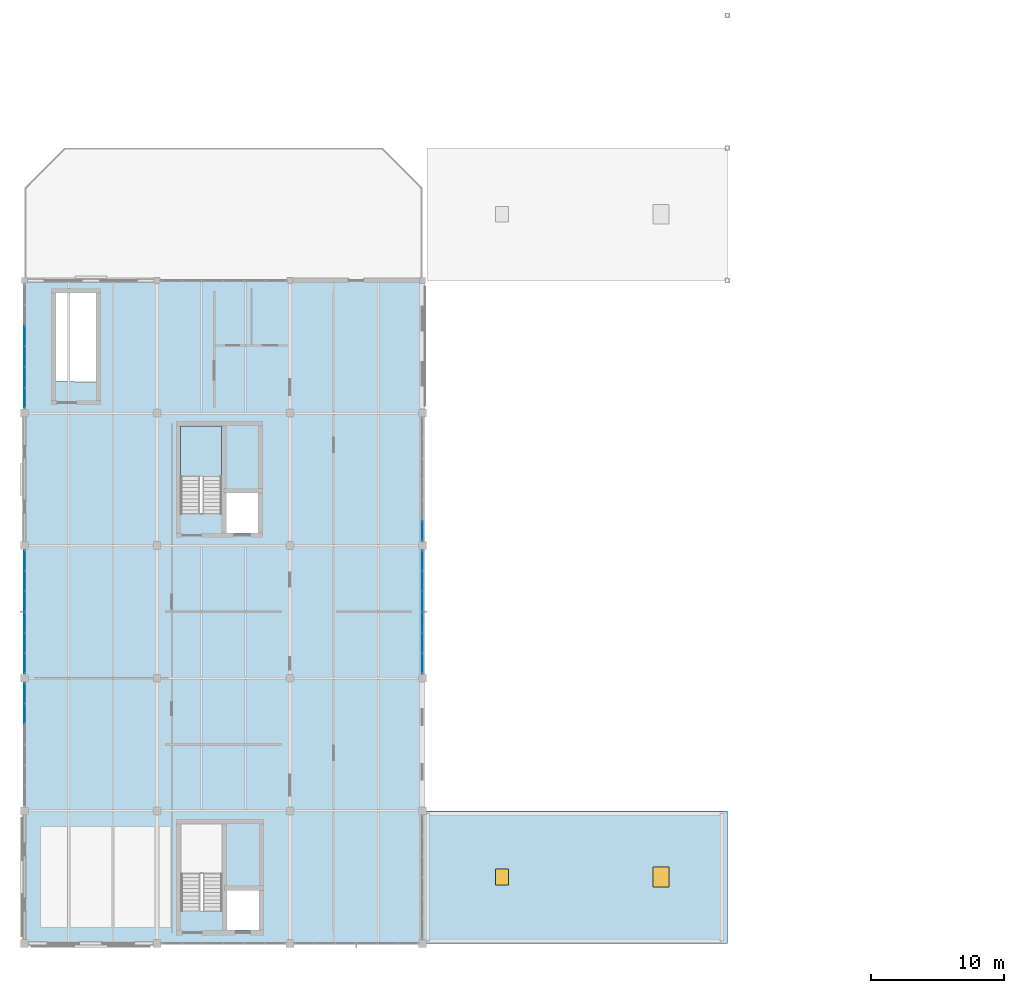
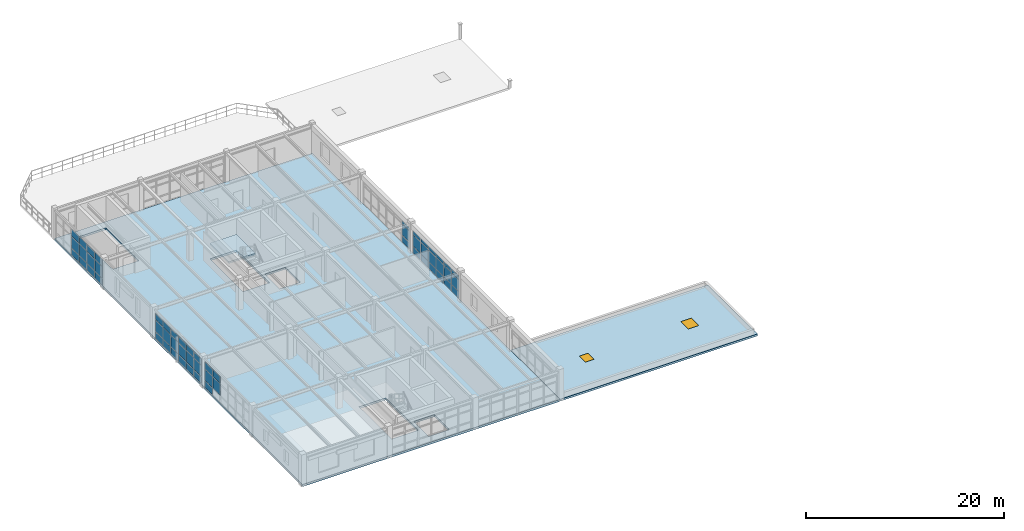
# One storey, part 15 of 23: 56 plates, 3 slabs, 2 doors, 2 openings, 6 elements without a shape of their own.
"""IFC4 building model written with IfcOpenShell, lengths in metres."""

from ifc_helpers import new_model, si_unit, direction, frame, origin, origin_2d, place, context, subcontext, project, spatial, polyline, rectangle, outline, extrude, material, layer, layer_set, type_object, element, fill, aggregate, save


model = new_model("IFC4")

# Units and contexts
model_context = context("Model", 3, precision=1e-05, world=origin(), true_north=direction((0.0, 1.0)))
body_context = subcontext(model_context, "Body", "Model", "MODEL_VIEW")
ifc_project = project(units=[si_unit("LENGTHUNIT", "METRE"), si_unit("AREAUNIT", "SQUARE_METRE"), si_unit("VOLUMEUNIT", "CUBIC_METRE"), si_unit("PLANEANGLEUNIT", "RADIAN"), si_unit("MASSUNIT", "GRAM", prefix="KILO"), si_unit("THERMODYNAMICTEMPERATUREUNIT", "KELVIN"), si_unit("POWERUNIT", "WATT")], contexts=[model_context])

# Site, building, storey
site_placement = place(None, origin())
site = spatial("IfcSite", under=ifc_project, at=site_placement, CompositionType="ELEMENT")
building_placement = place(site_placement, origin())
building = spatial("IfcBuilding", under=site, at=building_placement, Name="Korenveer Ferry Terminal", CompositionType="ELEMENT")
storey_placement = place(building_placement, frame((0.0, 0.0, 14.39990234375)))
storey = spatial("IfcBuildingStorey", under=building, at=storey_placement, Name="L03", CompositionType="ELEMENT", Elevation=14.39990234375)

# Curtain wall, plates
ifc_material_1 = material(Name="Unitised bronze-and-glass curtain wall", Category="glass")
ifc_layer_1 = layer(ifc_material_1, 0.159912109375)
ifc_layer_set_1 = layer_set([ifc_layer_1], Name="Unitised bronze-and-glass curtain wall")
curtain_wall_type_1 = type_object("IfcCurtainWallType", Name="ENV-CW-108", PredefinedType="USERDEFINED", material=ifc_layer_set_1)
curtain_wall_1_placement = place(storey_placement, frame((0.0, 30.330078125, 0.0)))
curtain_wall_1 = element("IfcCurtainWall", 1, at=curtain_wall_1_placement, inside=storey, type_object=curtain_wall_type_1, Name="Lancet curtain wall CWX-L03-X0-0-Y30-40", ObjectType="UNITISED CURTAIN WALL", PredefinedType="USERDEFINED")
ifc_material_2 = material(Name="Low-iron solar-control double glazing", Category="glass")
ifc_layer_2 = layer(ifc_material_2, 0.028076171875)
ifc_layer_set_2 = layer_set([ifc_layer_2], Name="Low-iron solar-control double glazing")
plate_type = type_object("IfcPlateType", Name="ENV-CWP-GLZ28", PredefinedType="CURTAIN_PANEL", material=ifc_layer_set_2)
plate_1_placement = place(storey_placement, frame((0.0, 37.3349609375, 0.93017578125), z_axis=(0.0, 0.0, 1.0), x_axis=(0.0, 1.0, 0.0)))
plate_1 = element("IfcPlate", 2, at=plate_1_placement, type_object=plate_type, Name="CW-108 panel 5.2", PredefinedType="CURTAIN_PANEL", context=body_context, shape_type="SweptSolid", body=[
    extrude(rectangle(XDim=1.49658203125, YDim=0.028076171875, at=origin_2d()), origin(), (0.0, 0.0, 1.0), 1.389892578125),
])
plate_2_placement = place(storey_placement, frame((0.0, 37.3349609375, 2.380126953125), z_axis=(0.0, 0.0, 1.0), x_axis=(0.0, 1.0, 0.0)))
plate_2 = element("IfcPlate", 3, at=plate_2_placement, type_object=plate_type, Name="CW-108 panel 5.3", PredefinedType="CURTAIN_PANEL", context=body_context, shape_type="SweptSolid", body=[
    extrude(rectangle(XDim=1.49658203125, YDim=0.028076171875, at=origin_2d()), origin(), (0.0, 0.0, 1.0), 0.830078125),
])
plate_3_placement = place(storey_placement, frame((0.0, 38.876708984375, 0.06005859375), z_axis=(0.0, 0.0, 1.0), x_axis=(0.0, 1.0, 0.0)))
plate_3 = element("IfcPlate", 4, at=plate_3_placement, type_object=plate_type, Name="CW-108 panel 6.1", PredefinedType="CURTAIN_PANEL", context=body_context, shape_type="SweptSolid", body=[
    extrude(rectangle(XDim=1.466552734375, YDim=0.028076171875, at=origin_2d()), origin(), (0.0, 0.0, 1.0), 0.81005859375),
])
plate_4_placement = place(storey_placement, frame((0.0, 38.876708984375, 0.93017578125), z_axis=(0.0, 0.0, 1.0), x_axis=(0.0, 1.0, 0.0)))
plate_4 = element("IfcPlate", 5, at=plate_4_placement, type_object=plate_type, Name="CW-108 panel 6.2", PredefinedType="CURTAIN_PANEL", context=body_context, shape_type="SweptSolid", body=[
    extrude(rectangle(XDim=1.466552734375, YDim=0.028076171875, at=origin_2d()), origin(), (0.0, 0.0, 1.0), 1.389892578125),
])
plate_5_placement = place(storey_placement, frame((0.0, 38.876708984375, 2.380126953125), z_axis=(0.0, 0.0, 1.0), x_axis=(0.0, 1.0, 0.0)))
plate_5 = element("IfcPlate", 6, at=plate_5_placement, type_object=plate_type, Name="CW-108 panel 6.3", PredefinedType="CURTAIN_PANEL", context=body_context, shape_type="SweptSolid", body=[
    extrude(rectangle(XDim=1.466552734375, YDim=0.028076171875, at=origin_2d()), origin(), (0.0, 0.0, 1.0), 0.830078125),
])
aggregate(curtain_wall_1, [plate_1, plate_2, plate_3, plate_4, plate_5])

ifc_layer_3 = layer(ifc_material_1, 0.159912109375)
ifc_layer_set_3 = layer_set([ifc_layer_3], Name="Unitised bronze-and-glass curtain wall")
curtain_wall_type_2 = type_object("IfcCurtainWallType", Name="ENV-CW-109", PredefinedType="USERDEFINED", material=ifc_layer_set_3)
curtain_wall_2_placement = place(storey_placement, frame((0.0, 40.330078125, 0.0)))
curtain_wall_2 = element("IfcCurtainWall", 7, at=curtain_wall_2_placement, inside=storey, type_object=curtain_wall_type_2, Name="Lancet curtain wall CWX-L03-X0-0-Y40-50", ObjectType="UNITISED CURTAIN WALL", PredefinedType="USERDEFINED")
plate_6_placement = place(storey_placement, frame((0.0, 41.123291015625, 0.06005859375), z_axis=(0.0, 0.0, 1.0), x_axis=(0.0, 1.0, 0.0)))
plate_6 = element("IfcPlate", 8, at=plate_6_placement, type_object=plate_type, Name="CW-109 panel 1.1", PredefinedType="CURTAIN_PANEL", context=body_context, shape_type="SweptSolid", body=[
    extrude(rectangle(XDim=1.466552734375, YDim=0.028076171875, at=origin_2d()), origin(), (0.0, 0.0, 1.0), 0.81005859375),
])
plate_7_placement = place(storey_placement, frame((0.0, 41.123291015625, 0.93017578125), z_axis=(0.0, 0.0, 1.0), x_axis=(0.0, 1.0, 0.0)))
plate_7 = element("IfcPlate", 9, at=plate_7_placement, type_object=plate_type, Name="CW-109 panel 1.2", PredefinedType="CURTAIN_PANEL", context=body_context, shape_type="SweptSolid", body=[
    extrude(rectangle(XDim=1.466552734375, YDim=0.028076171875, at=origin_2d()), origin(), (0.0, 0.0, 1.0), 1.389892578125),
])
plate_8_placement = place(storey_placement, frame((0.0, 41.123291015625, 2.380126953125), z_axis=(0.0, 0.0, 1.0), x_axis=(0.0, 1.0, 0.0)))
plate_8 = element("IfcPlate", 10, at=plate_8_placement, type_object=plate_type, Name="CW-109 panel 1.3", PredefinedType="CURTAIN_PANEL", context=body_context, shape_type="SweptSolid", body=[
    extrude(rectangle(XDim=1.466552734375, YDim=0.028076171875, at=origin_2d()), origin(), (0.0, 0.0, 1.0), 0.72998046875),
])
plate_9_placement = place(storey_placement, frame((0.0, 42.6650390625, 0.06005859375), z_axis=(0.0, 0.0, 1.0), x_axis=(0.0, 1.0, 0.0)))
plate_9 = element("IfcPlate", 11, at=plate_9_placement, type_object=plate_type, Name="CW-109 panel 2.1", PredefinedType="CURTAIN_PANEL", context=body_context, shape_type="SweptSolid", body=[
    extrude(rectangle(XDim=1.49658203125, YDim=0.028076171875, at=origin_2d()), origin(), (0.0, 0.0, 1.0), 0.81005859375),
])
plate_10_placement = place(storey_placement, frame((0.0, 42.6650390625, 0.93017578125), z_axis=(0.0, 0.0, 1.0), x_axis=(0.0, 1.0, 0.0)))
plate_10 = element("IfcPlate", 12, at=plate_10_placement, type_object=plate_type, Name="CW-109 panel 2.2", PredefinedType="CURTAIN_PANEL", context=body_context, shape_type="SweptSolid", body=[
    extrude(rectangle(XDim=1.49658203125, YDim=0.028076171875, at=origin_2d()), origin(), (0.0, 0.0, 1.0), 1.389892578125),
])
plate_11_placement = place(storey_placement, frame((0.0, 42.6650390625, 2.380126953125), z_axis=(0.0, 0.0, 1.0), x_axis=(0.0, 1.0, 0.0)))
plate_11 = element("IfcPlate", 13, at=plate_11_placement, type_object=plate_type, Name="CW-109 panel 2.3", PredefinedType="CURTAIN_PANEL", context=body_context, shape_type="SweptSolid", body=[
    extrude(rectangle(XDim=1.49658203125, YDim=0.028076171875, at=origin_2d()), origin(), (0.0, 0.0, 1.0), 0.72998046875),
])
plate_12_placement = place(storey_placement, frame((0.0, 44.2216796875, 0.06005859375), z_axis=(0.0, 0.0, 1.0), x_axis=(0.0, 1.0, 0.0)))
plate_12 = element("IfcPlate", 14, at=plate_12_placement, type_object=plate_type, Name="CW-109 panel 3.1", PredefinedType="CURTAIN_PANEL", context=body_context, shape_type="SweptSolid", body=[
    extrude(rectangle(XDim=1.49658203125, YDim=0.028076171875, at=origin_2d()), origin(), (0.0, 0.0, 1.0), 0.81005859375),
])
plate_13_placement = place(storey_placement, frame((0.0, 44.2216796875, 0.93017578125), z_axis=(0.0, 0.0, 1.0), x_axis=(0.0, 1.0, 0.0)))
plate_13 = element("IfcPlate", 15, at=plate_13_placement, type_object=plate_type, Name="CW-109 panel 3.2", PredefinedType="CURTAIN_PANEL", context=body_context, shape_type="SweptSolid", body=[
    extrude(rectangle(XDim=1.49658203125, YDim=0.028076171875, at=origin_2d()), origin(), (0.0, 0.0, 1.0), 1.389892578125),
])
plate_14_placement = place(storey_placement, frame((0.0, 44.2216796875, 2.380126953125), z_axis=(0.0, 0.0, 1.0), x_axis=(0.0, 1.0, 0.0)))
plate_14 = element("IfcPlate", 16, at=plate_14_placement, type_object=plate_type, Name="CW-109 panel 3.3", PredefinedType="CURTAIN_PANEL", context=body_context, shape_type="SweptSolid", body=[
    extrude(rectangle(XDim=1.49658203125, YDim=0.028076171875, at=origin_2d()), origin(), (0.0, 0.0, 1.0), 0.72998046875),
])
plate_15_placement = place(storey_placement, frame((0.0, 45.7783203125, 0.06005859375), z_axis=(0.0, 0.0, 1.0), x_axis=(0.0, 1.0, 0.0)))
plate_15 = element("IfcPlate", 17, at=plate_15_placement, type_object=plate_type, Name="CW-109 panel 4.1", PredefinedType="CURTAIN_PANEL", context=body_context, shape_type="SweptSolid", body=[
    extrude(rectangle(XDim=1.49658203125, YDim=0.028076171875, at=origin_2d()), origin(), (0.0, 0.0, 1.0), 0.81005859375),
])
plate_16_placement = place(storey_placement, frame((0.0, 45.7783203125, 0.93017578125), z_axis=(0.0, 0.0, 1.0), x_axis=(0.0, 1.0, 0.0)))
plate_16 = element("IfcPlate", 18, at=plate_16_placement, type_object=plate_type, Name="CW-109 panel 4.2", PredefinedType="CURTAIN_PANEL", context=body_context, shape_type="SweptSolid", body=[
    extrude(rectangle(XDim=1.49658203125, YDim=0.028076171875, at=origin_2d()), origin(), (0.0, 0.0, 1.0), 1.389892578125),
])
plate_17_placement = place(storey_placement, frame((0.0, 45.7783203125, 2.380126953125), z_axis=(0.0, 0.0, 1.0), x_axis=(0.0, 1.0, 0.0)))
plate_17 = element("IfcPlate", 19, at=plate_17_placement, type_object=plate_type, Name="CW-109 panel 4.3", PredefinedType="CURTAIN_PANEL", context=body_context, shape_type="SweptSolid", body=[
    extrude(rectangle(XDim=1.49658203125, YDim=0.028076171875, at=origin_2d()), origin(), (0.0, 0.0, 1.0), 0.72998046875),
])
plate_18_placement = place(storey_placement, frame((0.0, 47.3349609375, 0.06005859375), z_axis=(0.0, 0.0, 1.0), x_axis=(0.0, 1.0, 0.0)))
plate_18 = element("IfcPlate", 20, at=plate_18_placement, type_object=plate_type, Name="CW-109 panel 5.1", PredefinedType="CURTAIN_PANEL", context=body_context, shape_type="SweptSolid", body=[
    extrude(rectangle(XDim=1.49658203125, YDim=0.028076171875, at=origin_2d()), origin(), (0.0, 0.0, 1.0), 0.81005859375),
])
plate_19_placement = place(storey_placement, frame((0.0, 47.3349609375, 0.93017578125), z_axis=(0.0, 0.0, 1.0), x_axis=(0.0, 1.0, 0.0)))
plate_19 = element("IfcPlate", 21, at=plate_19_placement, type_object=plate_type, Name="CW-109 panel 5.2", PredefinedType="CURTAIN_PANEL", context=body_context, shape_type="SweptSolid", body=[
    extrude(rectangle(XDim=1.49658203125, YDim=0.028076171875, at=origin_2d()), origin(), (0.0, 0.0, 1.0), 1.389892578125),
])
plate_20_placement = place(storey_placement, frame((0.0, 47.3349609375, 2.380126953125), z_axis=(0.0, 0.0, 1.0), x_axis=(0.0, 1.0, 0.0)))
plate_20 = element("IfcPlate", 22, at=plate_20_placement, type_object=plate_type, Name="CW-109 panel 5.3", PredefinedType="CURTAIN_PANEL", context=body_context, shape_type="SweptSolid", body=[
    extrude(rectangle(XDim=1.49658203125, YDim=0.028076171875, at=origin_2d()), origin(), (0.0, 0.0, 1.0), 0.72998046875),
])
plate_21_placement = place(storey_placement, frame((0.0, 48.876708984375, 0.06005859375), z_axis=(0.0, 0.0, 1.0), x_axis=(0.0, 1.0, 0.0)))
plate_21 = element("IfcPlate", 23, at=plate_21_placement, type_object=plate_type, Name="CW-109 panel 6.1", PredefinedType="CURTAIN_PANEL", context=body_context, shape_type="SweptSolid", body=[
    extrude(rectangle(XDim=1.466552734375, YDim=0.028076171875, at=origin_2d()), origin(), (0.0, 0.0, 1.0), 0.81005859375),
])
plate_22_placement = place(storey_placement, frame((0.0, 48.876708984375, 0.93017578125), z_axis=(0.0, 0.0, 1.0), x_axis=(0.0, 1.0, 0.0)))
plate_22 = element("IfcPlate", 24, at=plate_22_placement, type_object=plate_type, Name="CW-109 panel 6.2", PredefinedType="CURTAIN_PANEL", context=body_context, shape_type="SweptSolid", body=[
    extrude(rectangle(XDim=1.466552734375, YDim=0.028076171875, at=origin_2d()), origin(), (0.0, 0.0, 1.0), 1.389892578125),
])
plate_23_placement = place(storey_placement, frame((0.0, 48.876708984375, 2.380126953125), z_axis=(0.0, 0.0, 1.0), x_axis=(0.0, 1.0, 0.0)))
plate_23 = element("IfcPlate", 25, at=plate_23_placement, type_object=plate_type, Name="CW-109 panel 6.3", PredefinedType="CURTAIN_PANEL", context=body_context, shape_type="SweptSolid", body=[
    extrude(rectangle(XDim=1.466552734375, YDim=0.028076171875, at=origin_2d()), origin(), (0.0, 0.0, 1.0), 0.72998046875),
])
aggregate(curtain_wall_2, [plate_6, plate_7, plate_8, plate_9, plate_10, plate_11, plate_12, plate_13, plate_14, plate_15, plate_16, plate_17, plate_18, plate_19, plate_20, plate_21, plate_22, plate_23])

ifc_layer_4 = layer(ifc_material_1, 0.159912109375)
ifc_layer_set_4 = layer_set([ifc_layer_4], Name="Unitised bronze-and-glass curtain wall")
curtain_wall_type_3 = type_object("IfcCurtainWallType", Name="ENV-CW-126", PredefinedType="USERDEFINED", material=ifc_layer_set_4)
curtain_wall_3_placement = place(storey_placement, frame((0.0, 60.330078125, 0.0)))
curtain_wall_3 = element("IfcCurtainWall", 26, at=curtain_wall_3_placement, inside=storey, type_object=curtain_wall_type_3, Name="Lancet curtain wall CWX-L03-X0-0-Y60-70", ObjectType="UNITISED CURTAIN WALL", PredefinedType="USERDEFINED")
plate_24_placement = place(storey_placement, frame((0.0, 61.129638671875, 0.06005859375), z_axis=(0.0, 0.0, 1.0), x_axis=(0.0, 1.0, 0.0)))
plate_24 = element("IfcPlate", 27, at=plate_24_placement, type_object=plate_type, Name="CW-126 panel 1.1", PredefinedType="CURTAIN_PANEL", context=body_context, shape_type="SweptSolid", body=[
    extrude(rectangle(XDim=1.479248046875, YDim=0.028076171875, at=origin_2d()), origin(), (0.0, 0.0, 1.0), 0.81005859375),
])
plate_25_placement = place(storey_placement, frame((0.0, 61.129638671875, 0.93017578125), z_axis=(0.0, 0.0, 1.0), x_axis=(0.0, 1.0, 0.0)))
plate_25 = element("IfcPlate", 28, at=plate_25_placement, type_object=plate_type, Name="CW-126 panel 1.2", PredefinedType="CURTAIN_PANEL", context=body_context, shape_type="SweptSolid", body=[
    extrude(rectangle(XDim=1.479248046875, YDim=0.028076171875, at=origin_2d()), origin(), (0.0, 0.0, 1.0), 1.389892578125),
])
plate_26_placement = place(storey_placement, frame((0.0, 61.129638671875, 2.3798828125), z_axis=(0.0, 0.0, 1.0), x_axis=(0.0, 1.0, 0.0)))
plate_26 = element("IfcPlate", 29, at=plate_26_placement, type_object=plate_type, Name="CW-126 panel 1.3", PredefinedType="CURTAIN_PANEL", context=body_context, shape_type="SweptSolid", body=[
    extrude(rectangle(XDim=1.479248046875, YDim=0.028076171875, at=origin_2d()), origin(), (0.0, 0.0, 1.0), 0.860107421875),
])
plate_27_placement = place(storey_placement, frame((0.0, 62.683837890625, 0.06005859375), z_axis=(0.0, 0.0, 1.0), x_axis=(0.0, 1.0, 0.0)))
plate_27 = element("IfcPlate", 30, at=plate_27_placement, type_object=plate_type, Name="CW-126 panel 2.1", PredefinedType="CURTAIN_PANEL", context=body_context, shape_type="SweptSolid", body=[
    extrude(rectangle(XDim=1.50927734375, YDim=0.028076171875, at=origin_2d()), origin(), (0.0, 0.0, 1.0), 0.81005859375),
])
plate_28_placement = place(storey_placement, frame((0.0, 62.683837890625, 0.93017578125), z_axis=(0.0, 0.0, 1.0), x_axis=(0.0, 1.0, 0.0)))
plate_28 = element("IfcPlate", 31, at=plate_28_placement, type_object=plate_type, Name="CW-126 panel 2.2", PredefinedType="CURTAIN_PANEL", context=body_context, shape_type="SweptSolid", body=[
    extrude(rectangle(XDim=1.50927734375, YDim=0.028076171875, at=origin_2d()), origin(), (0.0, 0.0, 1.0), 1.389892578125),
])
plate_29_placement = place(storey_placement, frame((0.0, 62.683837890625, 2.3798828125), z_axis=(0.0, 0.0, 1.0), x_axis=(0.0, 1.0, 0.0)))
plate_29 = element("IfcPlate", 32, at=plate_29_placement, type_object=plate_type, Name="CW-126 panel 2.3", PredefinedType="CURTAIN_PANEL", context=body_context, shape_type="SweptSolid", body=[
    extrude(rectangle(XDim=1.50927734375, YDim=0.028076171875, at=origin_2d()), origin(), (0.0, 0.0, 1.0), 0.860107421875),
])
plate_30_placement = place(storey_placement, frame((0.0, 64.2529296875, 0.06005859375), z_axis=(0.0, 0.0, 1.0), x_axis=(0.0, 1.0, 0.0)))
plate_30 = element("IfcPlate", 33, at=plate_30_placement, type_object=plate_type, Name="CW-126 panel 3.1", PredefinedType="CURTAIN_PANEL", context=body_context, shape_type="SweptSolid", body=[
    extrude(rectangle(XDim=1.50927734375, YDim=0.028076171875, at=origin_2d()), origin(), (0.0, 0.0, 1.0), 0.81005859375),
])
plate_31_placement = place(storey_placement, frame((0.0, 64.2529296875, 0.93017578125), z_axis=(0.0, 0.0, 1.0), x_axis=(0.0, 1.0, 0.0)))
plate_31 = element("IfcPlate", 34, at=plate_31_placement, type_object=plate_type, Name="CW-126 panel 3.2", PredefinedType="CURTAIN_PANEL", context=body_context, shape_type="SweptSolid", body=[
    extrude(rectangle(XDim=1.50927734375, YDim=0.028076171875, at=origin_2d()), origin(), (0.0, 0.0, 1.0), 1.389892578125),
])
plate_32_placement = place(storey_placement, frame((0.0, 64.2529296875, 2.3798828125), z_axis=(0.0, 0.0, 1.0), x_axis=(0.0, 1.0, 0.0)))
plate_32 = element("IfcPlate", 35, at=plate_32_placement, type_object=plate_type, Name="CW-126 panel 3.3", PredefinedType="CURTAIN_PANEL", context=body_context, shape_type="SweptSolid", body=[
    extrude(rectangle(XDim=1.50927734375, YDim=0.028076171875, at=origin_2d()), origin(), (0.0, 0.0, 1.0), 0.860107421875),
])
plate_33_placement = place(storey_placement, frame((0.0, 65.822021484375, 0.06005859375), z_axis=(0.0, 0.0, 1.0), x_axis=(0.0, 1.0, 0.0)))
plate_33 = element("IfcPlate", 36, at=plate_33_placement, type_object=plate_type, Name="CW-126 panel 4.1", PredefinedType="CURTAIN_PANEL", context=body_context, shape_type="SweptSolid", body=[
    extrude(rectangle(XDim=1.50927734375, YDim=0.028076171875, at=origin_2d()), origin(), (0.0, 0.0, 1.0), 0.81005859375),
])
plate_34_placement = place(storey_placement, frame((0.0, 65.822021484375, 0.93017578125), z_axis=(0.0, 0.0, 1.0), x_axis=(0.0, 1.0, 0.0)))
plate_34 = element("IfcPlate", 37, at=plate_34_placement, type_object=plate_type, Name="CW-126 panel 4.2", PredefinedType="CURTAIN_PANEL", context=body_context, shape_type="SweptSolid", body=[
    extrude(rectangle(XDim=1.50927734375, YDim=0.028076171875, at=origin_2d()), origin(), (0.0, 0.0, 1.0), 1.389892578125),
])
plate_35_placement = place(storey_placement, frame((0.0, 65.822021484375, 2.3798828125), z_axis=(0.0, 0.0, 1.0), x_axis=(0.0, 1.0, 0.0)))
plate_35 = element("IfcPlate", 38, at=plate_35_placement, type_object=plate_type, Name="CW-126 panel 4.3", PredefinedType="CURTAIN_PANEL", context=body_context, shape_type="SweptSolid", body=[
    extrude(rectangle(XDim=1.50927734375, YDim=0.028076171875, at=origin_2d()), origin(), (0.0, 0.0, 1.0), 0.860107421875),
])
aggregate(curtain_wall_3, [plate_24, plate_25, plate_26, plate_27, plate_28, plate_29, plate_30, plate_31, plate_32, plate_33, plate_34, plate_35])

ifc_layer_5 = layer(ifc_material_1, 0.159912109375)
ifc_layer_set_5 = layer_set([ifc_layer_5], Name="Unitised bronze-and-glass curtain wall")
curtain_wall_type_4 = type_object("IfcCurtainWallType", Name="ENV-CW-128", PredefinedType="USERDEFINED", material=ifc_layer_set_5)
curtain_wall_4_placement = place(storey_placement, frame((30.0, 49.669921875, 0.0)))
curtain_wall_4 = element("IfcCurtainWall", 39, at=curtain_wall_4_placement, inside=storey, type_object=curtain_wall_type_4, Name="Lancet curtain wall CWX-L03-X30-30-Y40-50", ObjectType="UNITISED CURTAIN WALL", PredefinedType="USERDEFINED")
plate_36_placement = place(storey_placement, frame((30.0, 48.876708984375, 0.06005859375), z_axis=(0.0, 0.0, 1.0), x_axis=(0.0, -1.0, 0.0)))
plate_36 = element("IfcPlate", 40, at=plate_36_placement, type_object=plate_type, Name="CW-128 panel 1.1", PredefinedType="CURTAIN_PANEL", context=body_context, shape_type="SweptSolid", body=[
    extrude(rectangle(XDim=1.466552734375, YDim=0.028076171875, at=origin_2d()), origin(), (0.0, 0.0, 1.0), 0.81005859375),
])
plate_37_placement = place(storey_placement, frame((30.0, 48.876708984375, 0.93017578125), z_axis=(0.0, 0.0, 1.0), x_axis=(0.0, -1.0, 0.0)))
plate_37 = element("IfcPlate", 41, at=plate_37_placement, type_object=plate_type, Name="CW-128 panel 1.2", PredefinedType="CURTAIN_PANEL", context=body_context, shape_type="SweptSolid", body=[
    extrude(rectangle(XDim=1.466552734375, YDim=0.028076171875, at=origin_2d()), origin(), (0.0, 0.0, 1.0), 1.389892578125),
])
plate_38_placement = place(storey_placement, frame((30.0, 48.876708984375, 2.38037109375), z_axis=(0.0, 0.0, 1.0), x_axis=(0.0, -1.0, 0.0)))
plate_38 = element("IfcPlate", 42, at=plate_38_placement, type_object=plate_type, Name="CW-128 panel 1.3", PredefinedType="CURTAIN_PANEL", context=body_context, shape_type="SweptSolid", body=[
    extrude(rectangle(XDim=1.466552734375, YDim=0.028076171875, at=origin_2d()), origin(), (0.0, 0.0, 1.0), 0.429931640625),
])
plate_39_placement = place(storey_placement, frame((30.0, 47.3349609375, 0.06005859375), z_axis=(0.0, 0.0, 1.0), x_axis=(0.0, -1.0, 0.0)))
plate_39 = element("IfcPlate", 43, at=plate_39_placement, type_object=plate_type, Name="CW-128 panel 2.1", PredefinedType="CURTAIN_PANEL", context=body_context, shape_type="SweptSolid", body=[
    extrude(rectangle(XDim=1.49658203125, YDim=0.028076171875, at=origin_2d()), origin(), (0.0, 0.0, 1.0), 0.81005859375),
])
plate_40_placement = place(storey_placement, frame((30.0, 47.3349609375, 0.93017578125), z_axis=(0.0, 0.0, 1.0), x_axis=(0.0, -1.0, 0.0)))
plate_40 = element("IfcPlate", 44, at=plate_40_placement, type_object=plate_type, Name="CW-128 panel 2.2", PredefinedType="CURTAIN_PANEL", context=body_context, shape_type="SweptSolid", body=[
    extrude(rectangle(XDim=1.49658203125, YDim=0.028076171875, at=origin_2d()), origin(), (0.0, 0.0, 1.0), 1.389892578125),
])
plate_41_placement = place(storey_placement, frame((30.0, 47.3349609375, 2.38037109375), z_axis=(0.0, 0.0, 1.0), x_axis=(0.0, -1.0, 0.0)))
plate_41 = element("IfcPlate", 45, at=plate_41_placement, type_object=plate_type, Name="CW-128 panel 2.3", PredefinedType="CURTAIN_PANEL", context=body_context, shape_type="SweptSolid", body=[
    extrude(rectangle(XDim=1.49658203125, YDim=0.028076171875, at=origin_2d()), origin(), (0.0, 0.0, 1.0), 0.429931640625),
])
plate_42_placement = place(storey_placement, frame((30.0, 45.7783203125, 0.06005859375), z_axis=(0.0, 0.0, 1.0), x_axis=(0.0, -1.0, 0.0)))
plate_42 = element("IfcPlate", 46, at=plate_42_placement, type_object=plate_type, Name="CW-128 panel 3.1", PredefinedType="CURTAIN_PANEL", context=body_context, shape_type="SweptSolid", body=[
    extrude(rectangle(XDim=1.49658203125, YDim=0.028076171875, at=origin_2d()), origin(), (0.0, 0.0, 1.0), 0.81005859375),
])
plate_43_placement = place(storey_placement, frame((30.0, 45.7783203125, 0.93017578125), z_axis=(0.0, 0.0, 1.0), x_axis=(0.0, -1.0, 0.0)))
plate_43 = element("IfcPlate", 47, at=plate_43_placement, type_object=plate_type, Name="CW-128 panel 3.2", PredefinedType="CURTAIN_PANEL", context=body_context, shape_type="SweptSolid", body=[
    extrude(rectangle(XDim=1.49658203125, YDim=0.028076171875, at=origin_2d()), origin(), (0.0, 0.0, 1.0), 1.389892578125),
])
plate_44_placement = place(storey_placement, frame((30.0, 45.7783203125, 2.38037109375), z_axis=(0.0, 0.0, 1.0), x_axis=(0.0, -1.0, 0.0)))
plate_44 = element("IfcPlate", 48, at=plate_44_placement, type_object=plate_type, Name="CW-128 panel 3.3", PredefinedType="CURTAIN_PANEL", context=body_context, shape_type="SweptSolid", body=[
    extrude(rectangle(XDim=1.49658203125, YDim=0.028076171875, at=origin_2d()), origin(), (0.0, 0.0, 1.0), 0.429931640625),
])
plate_45_placement = place(storey_placement, frame((30.0, 44.2216796875, 0.06005859375), z_axis=(0.0, 0.0, 1.0), x_axis=(0.0, -1.0, 0.0)))
plate_45 = element("IfcPlate", 49, at=plate_45_placement, type_object=plate_type, Name="CW-128 panel 4.1", PredefinedType="CURTAIN_PANEL", context=body_context, shape_type="SweptSolid", body=[
    extrude(rectangle(XDim=1.49658203125, YDim=0.028076171875, at=origin_2d()), origin(), (0.0, 0.0, 1.0), 0.81005859375),
])
plate_46_placement = place(storey_placement, frame((30.0, 44.2216796875, 0.93017578125), z_axis=(0.0, 0.0, 1.0), x_axis=(0.0, -1.0, 0.0)))
plate_46 = element("IfcPlate", 50, at=plate_46_placement, type_object=plate_type, Name="CW-128 panel 4.2", PredefinedType="CURTAIN_PANEL", context=body_context, shape_type="SweptSolid", body=[
    extrude(rectangle(XDim=1.49658203125, YDim=0.028076171875, at=origin_2d()), origin(), (0.0, 0.0, 1.0), 1.389892578125),
])
plate_47_placement = place(storey_placement, frame((30.0, 44.2216796875, 2.38037109375), z_axis=(0.0, 0.0, 1.0), x_axis=(0.0, -1.0, 0.0)))
plate_47 = element("IfcPlate", 51, at=plate_47_placement, type_object=plate_type, Name="CW-128 panel 4.3", PredefinedType="CURTAIN_PANEL", context=body_context, shape_type="SweptSolid", body=[
    extrude(rectangle(XDim=1.49658203125, YDim=0.028076171875, at=origin_2d()), origin(), (0.0, 0.0, 1.0), 0.429931640625),
])
plate_48_placement = place(storey_placement, frame((30.0, 42.6650390625, 0.06005859375), z_axis=(0.0, 0.0, 1.0), x_axis=(0.0, -1.0, 0.0)))
plate_48 = element("IfcPlate", 52, at=plate_48_placement, type_object=plate_type, Name="CW-128 panel 5.1", PredefinedType="CURTAIN_PANEL", context=body_context, shape_type="SweptSolid", body=[
    extrude(rectangle(XDim=1.49658203125, YDim=0.028076171875, at=origin_2d()), origin(), (0.0, 0.0, 1.0), 0.81005859375),
])
plate_49_placement = place(storey_placement, frame((30.0, 42.6650390625, 0.93017578125), z_axis=(0.0, 0.0, 1.0), x_axis=(0.0, -1.0, 0.0)))
plate_49 = element("IfcPlate", 53, at=plate_49_placement, type_object=plate_type, Name="CW-128 panel 5.2", PredefinedType="CURTAIN_PANEL", context=body_context, shape_type="SweptSolid", body=[
    extrude(rectangle(XDim=1.49658203125, YDim=0.028076171875, at=origin_2d()), origin(), (0.0, 0.0, 1.0), 1.389892578125),
])
plate_50_placement = place(storey_placement, frame((30.0, 42.6650390625, 2.38037109375), z_axis=(0.0, 0.0, 1.0), x_axis=(0.0, -1.0, 0.0)))
plate_50 = element("IfcPlate", 54, at=plate_50_placement, type_object=plate_type, Name="CW-128 panel 5.3", PredefinedType="CURTAIN_PANEL", context=body_context, shape_type="SweptSolid", body=[
    extrude(rectangle(XDim=1.49658203125, YDim=0.028076171875, at=origin_2d()), origin(), (0.0, 0.0, 1.0), 0.429931640625),
])
plate_51_placement = place(storey_placement, frame((30.0, 41.123291015625, 0.06005859375), z_axis=(0.0, 0.0, 1.0), x_axis=(0.0, -1.0, 0.0)))
plate_51 = element("IfcPlate", 55, at=plate_51_placement, type_object=plate_type, Name="CW-128 panel 6.1", PredefinedType="CURTAIN_PANEL", context=body_context, shape_type="SweptSolid", body=[
    extrude(rectangle(XDim=1.466552734375, YDim=0.028076171875, at=origin_2d()), origin(), (0.0, 0.0, 1.0), 0.81005859375),
])
plate_52_placement = place(storey_placement, frame((30.0, 41.123291015625, 0.93017578125), z_axis=(0.0, 0.0, 1.0), x_axis=(0.0, -1.0, 0.0)))
plate_52 = element("IfcPlate", 56, at=plate_52_placement, type_object=plate_type, Name="CW-128 panel 6.2", PredefinedType="CURTAIN_PANEL", context=body_context, shape_type="SweptSolid", body=[
    extrude(rectangle(XDim=1.466552734375, YDim=0.028076171875, at=origin_2d()), origin(), (0.0, 0.0, 1.0), 1.389892578125),
])
plate_53_placement = place(storey_placement, frame((30.0, 41.123291015625, 2.38037109375), z_axis=(0.0, 0.0, 1.0), x_axis=(0.0, -1.0, 0.0)))
plate_53 = element("IfcPlate", 57, at=plate_53_placement, type_object=plate_type, Name="CW-128 panel 6.3", PredefinedType="CURTAIN_PANEL", context=body_context, shape_type="SweptSolid", body=[
    extrude(rectangle(XDim=1.466552734375, YDim=0.028076171875, at=origin_2d()), origin(), (0.0, 0.0, 1.0), 0.429931640625),
])
aggregate(curtain_wall_4, [plate_36, plate_37, plate_38, plate_39, plate_40, plate_41, plate_42, plate_43, plate_44, plate_45, plate_46, plate_47, plate_48, plate_49, plate_50, plate_51, plate_52, plate_53])

ifc_layer_6 = layer(ifc_material_1, 0.159912109375)
ifc_layer_set_6 = layer_set([ifc_layer_6], Name="Unitised bronze-and-glass curtain wall")
curtain_wall_type_5 = type_object("IfcCurtainWallType", Name="ENV-CW-127", PredefinedType="USERDEFINED", material=ifc_layer_set_6)
curtain_wall_5_placement = place(storey_placement, frame((30.0, 59.669921875, 0.0)))
curtain_wall_5 = element("IfcCurtainWall", 58, at=curtain_wall_5_placement, inside=storey, type_object=curtain_wall_type_5, Name="Lancet curtain wall CWX-L03-X30-30-Y50-60", ObjectType="UNITISED CURTAIN WALL", PredefinedType="USERDEFINED")
plate_54_placement = place(storey_placement, frame((30.0, 51.123291015625, 0.06005859375), z_axis=(0.0, 0.0, 1.0), x_axis=(0.0, -1.0, 0.0)))
plate_54 = element("IfcPlate", 59, at=plate_54_placement, type_object=plate_type, Name="CW-127 panel 6.1", PredefinedType="CURTAIN_PANEL", context=body_context, shape_type="SweptSolid", body=[
    extrude(rectangle(XDim=1.466552734375, YDim=0.028076171875, at=origin_2d()), origin(), (0.0, 0.0, 1.0), 0.81005859375),
])
plate_55_placement = place(storey_placement, frame((30.0, 51.123291015625, 0.93017578125), z_axis=(0.0, 0.0, 1.0), x_axis=(0.0, -1.0, 0.0)))
plate_55 = element("IfcPlate", 60, at=plate_55_placement, type_object=plate_type, Name="CW-127 panel 6.2", PredefinedType="CURTAIN_PANEL", context=body_context, shape_type="SweptSolid", body=[
    extrude(rectangle(XDim=1.466552734375, YDim=0.028076171875, at=origin_2d()), origin(), (0.0, 0.0, 1.0), 1.389892578125),
])
plate_56_placement = place(storey_placement, frame((30.0, 51.123291015625, 2.380126953125), z_axis=(0.0, 0.0, 1.0), x_axis=(0.0, -1.0, 0.0)))
plate_56 = element("IfcPlate", 61, at=plate_56_placement, type_object=plate_type, Name="CW-127 panel 6.3", PredefinedType="CURTAIN_PANEL", context=body_context, shape_type="SweptSolid", body=[
    extrude(rectangle(XDim=1.466552734375, YDim=0.028076171875, at=origin_2d()), origin(), (0.0, 0.0, 1.0), 0.330078125),
])
aggregate(curtain_wall_5, [plate_54, plate_55, plate_56])

# Stair, slab
ifc_material_3 = material(Name="Concrete C40/50", Category="concrete")
stair_type = type_object("IfcStairType", Name="INT-ST-04", PredefinedType="HALF_TURN_STAIR", material=ifc_material_3)
stair_placement = place(storey_placement, frame((14.135009765625, 52.409912109375, 0.0)))
stair = element("IfcStair", 62, at=stair_placement, inside=storey, type_object=stair_type, Name="L03 West Operations Core K2", PredefinedType="HALF_TURN_STAIR")
ifc_layer_7 = layer(ifc_material_3, 0.199951171875)
ifc_layer_set_7 = layer_set([ifc_layer_7], Name="Concrete C40/50")
slab_type_1 = type_object("IfcSlabType", Name="INT-SL-LAND200", PredefinedType="LANDING", material=ifc_layer_set_7)
slab_1_placement = place(storey_placement, frame((0.0, 0.0, 1.75)))
slab_1 = element("IfcSlab", 63, at=slab_1_placement, type_object=slab_type_1, Name="ST02 landing 1", PredefinedType="LANDING", context=body_context, shape_type="SweptSolid", body=[
    extrude(outline(polyline([(14.860107421875, 55.2099609375), (14.860107421875, 59.0400390625), (11.760009765625, 59.0400390625), (11.760009765625, 55.2099609375), (14.860107421875, 55.2099609375)])), origin(), (0.0, 0.0, 1.0), 0.2001953125),
])
aggregate(stair, [slab_1])

# Slab
ifc_material_4 = material(Name="Concrete C35/45", Category="concrete")
ifc_layer_8 = layer(ifc_material_4, 0.25)
ifc_layer_set_8 = layer_set([ifc_layer_8], Name="Concrete C35/45")
slab_type_2 = type_object("IfcSlabType", Name="STR-SL-FLR250", PredefinedType="FLOOR", material=ifc_layer_set_8)
slab_2_placement = place(storey_placement, frame((0.0, 0.0, -0.25)))
element("IfcSlab", 64, at=slab_2_placement, inside=storey, type_object=slab_type_2, Name="Floor slab SL-L03-W1", PredefinedType="FLOOR", context=body_context, shape_type="SweptSolid", body=[
    extrude(outline(polyline([(0.0, 20.0), (30.0, 20.0), (30.0, 70.0), (0.0, 70.0), (0.0, 20.0)]), holes=[polyline([(14.89990234375, 22.449951171875), (14.89990234375, 29.0), (11.800048828125, 29.0), (11.800048828125, 22.449951171875), (14.89990234375, 22.449951171875)]), polyline([(15.260009765625, 21.0), (17.659912109375, 21.0), (17.659912109375, 24.0), (15.260009765625, 24.0), (15.260009765625, 21.0)]), polyline([(14.860107421875, 52.409912109375), (14.860107421875, 59.0400390625), (11.760009765625, 59.0400390625), (11.760009765625, 52.409912109375), (14.860107421875, 52.409912109375)]), polyline([(15.219970703125, 50.9599609375), (17.6201171875, 50.9599609375), (17.6201171875, 53.9599609375), (15.219970703125, 53.9599609375), (15.219970703125, 50.9599609375)]), polyline([(5.39990234375, 62.3798828125), (5.39990234375, 69.0400390625), (2.360107421875, 69.0400390625), (2.360107421875, 62.3798828125), (5.39990234375, 62.3798828125)])]), origin(), (0.0, 0.0, 1.0), 0.25),
])

# Slab, openings, doors
ifc_layer_9 = layer(ifc_material_4, 0.239990234375)
ifc_layer_set_9 = layer_set([ifc_layer_9], Name="Concrete C35/45")
slab_type_3 = type_object("IfcSlabType", Name="STR-SL-ROOF240", PredefinedType="ROOF", material=ifc_layer_set_9)
slab_3_placement = place(storey_placement, frame((0.0, 0.0, -0.239990234375)))
slab_3 = element("IfcSlab", 65, at=slab_3_placement, inside=storey, type_object=slab_type_3, Name="Concourse link flat roof 1", PredefinedType="ROOF", context=body_context, shape_type="SweptSolid", body=[
    extrude(outline(polyline([(30.0, 20.0), (53.0, 20.0), (53.0, 30.0), (30.0, 30.0), (30.0, 20.0)])), origin(), (0.0, 0.0, 1.0), 0.239990234375),
])
opening_1_placement = place(slab_3_placement, frame((36.0, 25.0, -0.010009765625)))
opening_1 = element("IfcOpeningElement", 66, at=opening_1_placement, cuts=slab_3, Name="Opening RH-01", PredefinedType="OPENING", context=body_context, shape_type="SweptSolid", body=[
    extrude(rectangle(XDim=1.0, YDim=1.199951171875, at=origin_2d()), origin(), (0.0, 0.0, 1.0), 0.260009765625),
])
opening_2_placement = place(slab_3_placement, frame((48.0, 25.0, -0.010009765625)))
opening_2 = element("IfcOpeningElement", 67, at=opening_2_placement, cuts=slab_3, Name="Opening RH-02", PredefinedType="OPENING", context=body_context, shape_type="SweptSolid", body=[
    extrude(rectangle(XDim=1.199951171875, YDim=1.5, at=origin_2d()), origin(), (0.0, 0.0, 1.0), 0.260009765625),
])
ifc_material_5 = material(Name="Thermally broken bronze glazed door", Category="aluminium")
door_type_1 = type_object("IfcDoorType", Name="ENV-DR-HTCH100", OperationType="SINGLE_SWING_LEFT", PredefinedType="TRAPDOOR", material=ifc_material_5)
door_1_placement = place(slab_3_placement, frame((36.0, 25.0, 0.18994140625)))
door_1 = element("IfcDoor", 68, at=door_1_placement, inside=storey, type_object=door_type_1, Name="Roof maintenance access hatch 1", OperationType="SINGLE_SWING_LEFT", OverallHeight=1.199951171875, OverallWidth=1.0, PredefinedType="TRAPDOOR", context=body_context, shape_type="SweptSolid", body=[
    extrude(rectangle(XDim=1.0, YDim=1.199951171875, at=origin_2d()), origin(), (0.0, 0.0, 1.0), 0.050048828125),
])
fill(opening_1, door_1)
door_type_2 = type_object("IfcDoorType", Name="ENV-DR-HTCH120", OperationType="SINGLE_SWING_LEFT", PredefinedType="TRAPDOOR", material=ifc_material_5)
door_2_placement = place(slab_3_placement, frame((48.0, 25.0, 0.18994140625)))
door_2 = element("IfcDoor", 69, at=door_2_placement, inside=storey, type_object=door_type_2, Name="Roof maintenance access hatch 2", OperationType="SINGLE_SWING_LEFT", OverallHeight=1.5, OverallWidth=1.199951171875, PredefinedType="TRAPDOOR", context=body_context, shape_type="SweptSolid", body=[
    extrude(rectangle(XDim=1.199951171875, YDim=1.5, at=origin_2d()), origin(), (0.0, 0.0, 1.0), 0.050048828125),
])
fill(opening_2, door_2)

save(model, "model.ifc")
